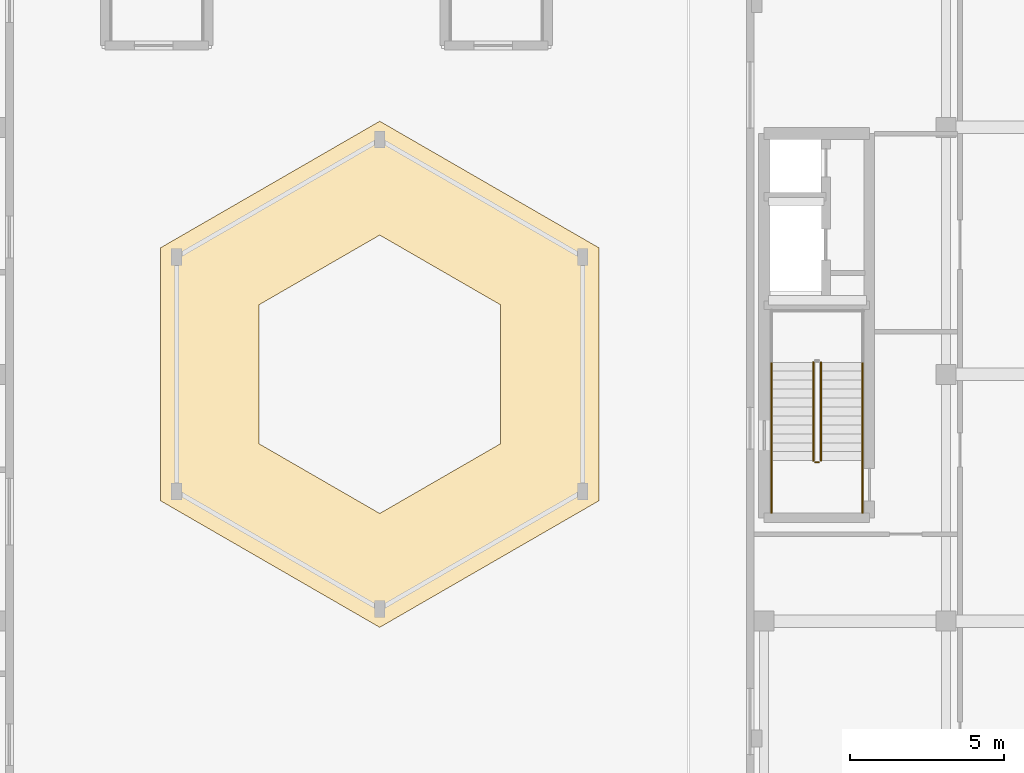
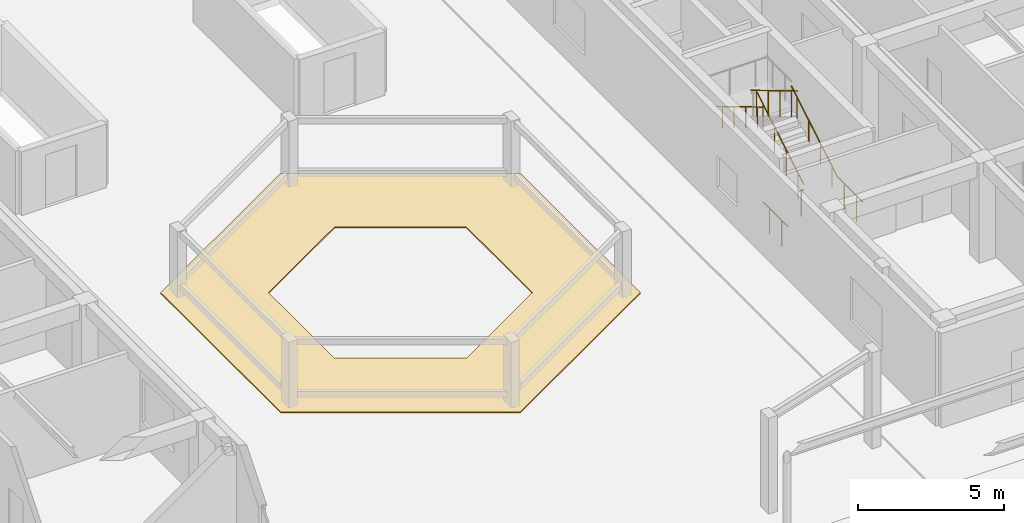
# One storey, part 96 of 114: 7 railings, 1 covering.
"""IFC4 building model written with IfcOpenShell, lengths in metres."""

from ifc_helpers import new_model, si_unit, direction, frame, origin, origin_2d, place, context, subcontext, project, spatial, polyline, circle, outline, extrude, material, layer, layer_set, type_object, element, save


model = new_model("IFC4")

# Units and contexts
model_context = context("Model", 3, precision=1e-05, world=origin(), true_north=direction((0.0, 1.0)))
body_context = subcontext(model_context, "Body", "Model", "MODEL_VIEW")
ifc_project = project(units=[si_unit("LENGTHUNIT", "METRE"), si_unit("AREAUNIT", "SQUARE_METRE"), si_unit("VOLUMEUNIT", "CUBIC_METRE"), si_unit("PLANEANGLEUNIT", "RADIAN"), si_unit("MASSUNIT", "GRAM", prefix="KILO")], contexts=[model_context])

# Site, building, storey
site_placement = place(None, origin())
site = spatial("IfcSite", under=ifc_project, at=site_placement, CompositionType="ELEMENT")
building_placement = place(site_placement, origin())
building = spatial("IfcBuilding", under=site, at=building_placement, Name="Keldmere Railside Commons", CompositionType="ELEMENT")
storey_placement = place(building_placement, origin())
storey = spatial("IfcBuildingStorey", under=building, at=storey_placement, Name="L00", CompositionType="ELEMENT", Elevation=0.0)

# Railings
ifc_material_1 = material(Name="Steel F-24 (S235)", Category="steel")
railing_type_1 = type_object("IfcRailingType", Name="Stair Well Steel Guardrail 1100", PredefinedType="BALUSTRADE", material=ifc_material_1)
railing_1_placement = place(storey_placement, frame((50.300048828125, 69.199951171875, 0.17333984375)))
element("IfcRailing", 1, at=railing_1_placement, inside=storey, type_object=railing_type_1, Name="L00 ST-C1 stair guard 1", PredefinedType="BALUSTRADE", context=body_context, shape_type="SweptSolid", body=[
    extrude(circle(Radius=0.02392578125, at=origin_2d()), frame((0.0, 0.0, 1.076171875), z_axis=(0.0, 0.858349611844, 0.513065243265), x_axis=(-1.0, 0.0, 0.0)), (0.0, 0.0, 1.0), 3.71630859375),
    extrude(circle(Radius=0.02099609375, at=origin_2d()), frame((0.0, 0.398681640625, 0.23828125)), (0.0, 0.0, 1.0), 1.048095703125),
    extrude(circle(Radius=0.02099609375, at=origin_2d()), frame((0.0, 1.1962890625, 0.715087890625)), (0.0, 0.0, 1.0), 1.048095703125),
    extrude(circle(Radius=0.02099609375, at=origin_2d()), frame((0.0, 1.99365234375, 1.191650390625)), (0.0, 0.0, 1.0), 1.048095703125),
    extrude(circle(Radius=0.02099609375, at=origin_2d()), frame((0.0, 2.791259765625, 1.66845703125)), (0.0, 0.0, 1.0), 1.048095703125),
])
railing_2_placement = place(storey_placement, frame((50.050048828125, 72.389892578125, 2.25341796875)))
element("IfcRailing", 2, at=railing_2_placement, inside=storey, type_object=railing_type_1, Name="L00 ST-C1 stair guard 6", PredefinedType="BALUSTRADE", context=body_context, shape_type="SweptSolid", body=[
    extrude(circle(Radius=0.02392578125, at=origin_2d()), frame((0.0, 0.0, 1.076171875), z_axis=(0.0, -0.858378542117, 0.513016840302), x_axis=(1.0, 0.0, 0.0)), (0.0, 0.0, 1.0), 3.71630859375),
    extrude(circle(Radius=0.02099609375, at=origin_2d()), frame((0.0, -0.398681640625, 0.23828125)), (0.0, 0.0, 1.0), 1.048095703125),
    extrude(circle(Radius=0.02099609375, at=origin_2d()), frame((0.0, -1.1962890625, 0.71484375)), (0.0, 0.0, 1.0), 1.048095703125),
    extrude(circle(Radius=0.02099609375, at=origin_2d()), frame((0.0, -1.99365234375, 1.191650390625)), (0.0, 0.0, 1.0), 1.048095703125),
    extrude(circle(Radius=0.02099609375, at=origin_2d()), frame((0.0, -2.791259765625, 1.668212890625)), (0.0, 0.0, 1.0), 1.048095703125),
])
railing_3_placement = place(storey_placement, frame((50.25, 69.14990234375, 0.0)))
element("IfcRailing", 3, at=railing_3_placement, inside=storey, type_object=railing_type_1, Name="L00 ST-C1 stair guard 7", PredefinedType="BALUSTRADE", context=body_context, shape_type="SweptSolid", body=[
    extrude(circle(Radius=0.02392578125, at=origin_2d()), frame((0.0, 0.0, 1.076171875), z_axis=(-1.0, 0.0, 0.0), x_axis=(0.0, -1.0, 0.0)), (0.0, 0.0, 1.0), 0.14990234375),
    extrude(circle(Radius=0.02099609375, at=origin_2d()), frame((-0.074951171875, 0.0, 0.0)), (0.0, 0.0, 1.0), 1.048095703125),
])
for number, where, name in (
    (4, (51.64990234375, 67.5, 0.0), "L00 ST-C1 stair guard 8"),
    (5, (48.699951171875, 67.5, 0.0), "L00 ST-C1 stair guard 9"),
):
    element("IfcRailing", number, at=place(storey_placement, frame(where)), inside=storey, type_object=railing_type_1, Name=name, PredefinedType="BALUSTRADE", context=body_context, shape_type="SweptSolid", body=[
        extrude(circle(Radius=0.02392578125, at=origin_2d()), frame((0.0, 0.0, 1.076171875), z_axis=(0.0, 1.0, 0.0), x_axis=(-1.0, 0.0, 0.0)), (0.0, 0.0, 1.0), 1.699951171875),
        extrude(circle(Radius=0.02099609375, at=origin_2d()), frame((0.0, 0.425048828125, 0.0)), (0.0, 0.0, 1.0), 1.048095703125),
        extrude(circle(Radius=0.02099609375, at=origin_2d()), frame((0.0, 1.27490234375, 0.0)), (0.0, 0.0, 1.0), 1.048095703125),
    ])
railing_type_2 = type_object("IfcRailingType", Name="Wall-Mounted Tubular Steel Handrail 900", PredefinedType="HANDRAIL", material=ifc_material_1)
railing_4_placement = place(storey_placement, frame((51.64990234375, 69.199951171875, 0.17333984375)))
element("IfcRailing", 6, at=railing_4_placement, inside=storey, type_object=railing_type_2, Name="L00 ST-C1 stair handrail 1", PredefinedType="HANDRAIL", context=body_context, shape_type="SweptSolid", body=[
    extrude(circle(Radius=0.02392578125, at=origin_2d()), frame((0.0, 0.0, 0.8759765625), z_axis=(0.0, 0.858349611844, 0.513065243265), x_axis=(-1.0, 0.0, 0.0)), (0.0, 0.0, 1.0), 3.71630859375),
    extrude(circle(Radius=0.02099609375, at=origin_2d()), frame((0.0, 0.398681640625, 0.23828125)), (0.0, 0.0, 1.0), 0.847900390625),
    extrude(circle(Radius=0.02099609375, at=origin_2d()), frame((0.0, 1.1962890625, 0.715087890625)), (0.0, 0.0, 1.0), 0.847900390625),
    extrude(circle(Radius=0.02099609375, at=origin_2d()), frame((0.0, 1.99365234375, 1.191650390625)), (0.0, 0.0, 1.0), 0.847900390625),
    extrude(circle(Radius=0.02099609375, at=origin_2d()), frame((0.0, 2.791259765625, 1.66845703125)), (0.0, 0.0, 1.0), 0.847900390625),
])
railing_5_placement = place(storey_placement, frame((48.699951171875, 72.389892578125, 2.25341796875)))
element("IfcRailing", 7, at=railing_5_placement, inside=storey, type_object=railing_type_2, Name="L00 ST-C1 stair handrail 2", PredefinedType="HANDRAIL", context=body_context, shape_type="SweptSolid", body=[
    extrude(circle(Radius=0.02392578125, at=origin_2d()), frame((0.0, 0.0, 0.8759765625), z_axis=(0.0, -0.858378542117, 0.513016840302), x_axis=(1.0, 0.0, 0.0)), (0.0, 0.0, 1.0), 3.71630859375),
    extrude(circle(Radius=0.02099609375, at=origin_2d()), frame((0.0, -0.398681640625, 0.23828125)), (0.0, 0.0, 1.0), 0.847900390625),
    extrude(circle(Radius=0.02099609375, at=origin_2d()), frame((0.0, -1.1962890625, 0.71484375)), (0.0, 0.0, 1.0), 0.847900390625),
    extrude(circle(Radius=0.02099609375, at=origin_2d()), frame((0.0, -1.99365234375, 1.191650390625)), (0.0, 0.0, 1.0), 0.847900390625),
    extrude(circle(Radius=0.02099609375, at=origin_2d()), frame((0.0, -2.791259765625, 1.668212890625)), (0.0, 0.0, 1.0), 0.847900390625),
])

# Covering
ifc_material_2 = material(Name="White Precast Concrete C35/45", Category="concrete")
ifc_layer = layer(ifc_material_2, 0.044921875, Name="White Architectural Balcony Ribbon Cladding 45")
ifc_layer_set = layer_set([ifc_layer], Name="White Precast Concrete C35/45")
covering_type = type_object("IfcCoveringType", Name="White Architectural Balcony Ribbon Cladding 45", PredefinedType="FLOORING", material=ifc_layer_set)
covering_placement = place(storey_placement, origin())
element("IfcCovering", 8, at=covering_placement, inside=storey, type_object=covering_type, Name="CLG-WB Hexagonal Court Garden Walk 1", PredefinedType="FLOORING", context=body_context, shape_type="SweptSolid", body=[
    extrude(outline(polyline([(43.10107421875, 76.10009765625), (36.0, 80.199951171875), (28.89892578125, 76.10009765625), (28.89892578125, 67.89990234375), (36.0, 63.800048828125), (43.10107421875, 67.89990234375), (43.10107421875, 76.10009765625)]), holes=[polyline([(39.906005859375, 74.2548828125), (39.906005859375, 69.7451171875), (36.0, 67.489990234375), (32.093994140625, 69.7451171875), (32.093994140625, 74.2548828125), (36.0, 76.510009765625), (39.906005859375, 74.2548828125)])]), origin(), (0.0, 0.0, 1.0), 0.044921875),
])

save(model, "model.ifc")
